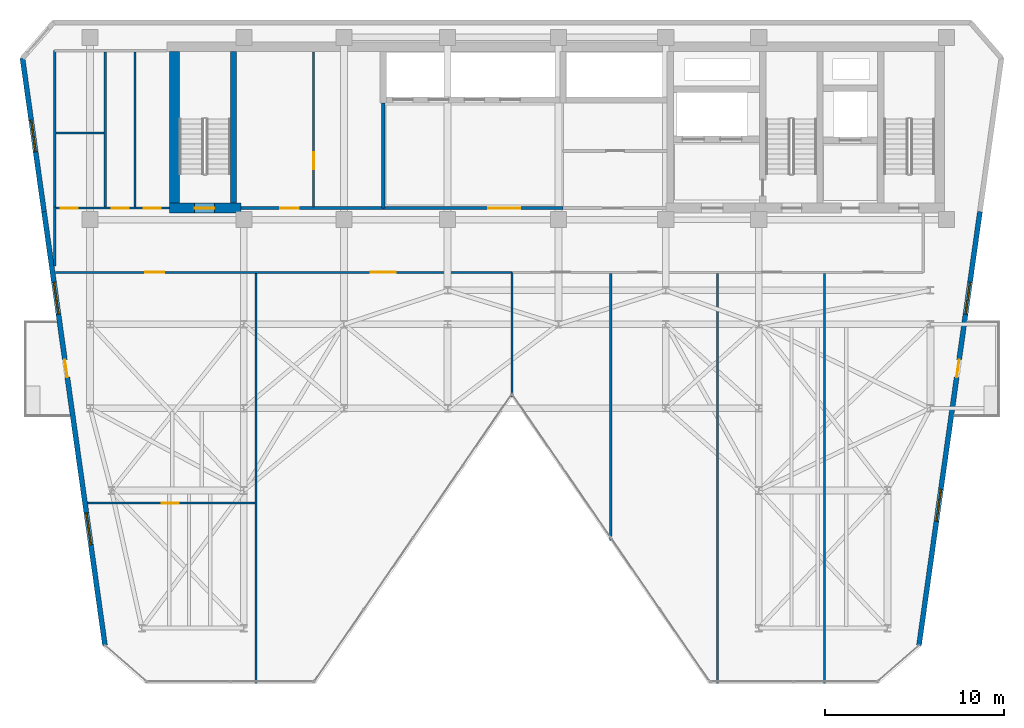
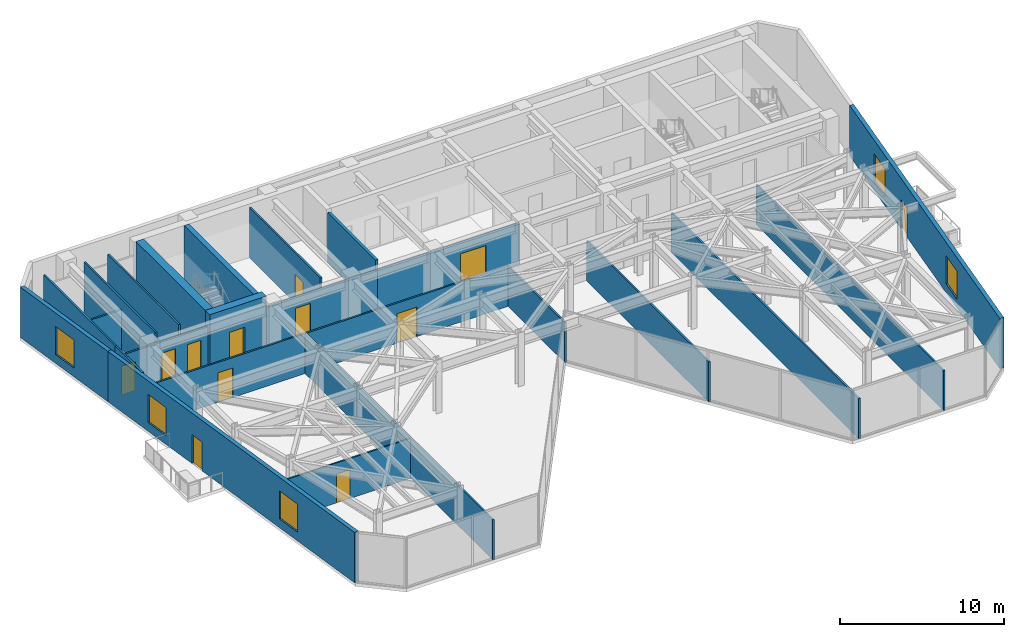
# One storey, part 16 of 21: 23 walls, 12 doors, 5 windows, 17 openings.
"""IFC4 building model written with IfcOpenShell, lengths in metres."""

from ifc_helpers import new_model, si_unit, direction, frame, frame_2d, origin, place, context, subcontext, project, spatial, rectangle, extrude, material, layer, layer_set, type_object, element, fill, save


model = new_model("IFC4")

# Units and contexts
model_context = context("Model", 3, precision=1e-05, world=origin(), true_north=direction((0.0, 1.0)))
body_context = subcontext(model_context, "Body", "Model", "MODEL_VIEW")
ifc_project = project(units=[si_unit("LENGTHUNIT", "METRE"), si_unit("AREAUNIT", "SQUARE_METRE"), si_unit("VOLUMEUNIT", "CUBIC_METRE"), si_unit("PLANEANGLEUNIT", "RADIAN"), si_unit("MASSUNIT", "GRAM", prefix="KILO")], contexts=[model_context])

# Site, building, storey
site_placement = place(None, origin())
site = spatial("IfcSite", under=ifc_project, at=site_placement, CompositionType="ELEMENT")
building_placement = place(site_placement, origin())
building = spatial("IfcBuilding", under=site, at=building_placement, Name="Kravanh Interchange Tower", CompositionType="ELEMENT")
storey_placement = place(building_placement, frame((0.0, 0.0, 176.5)))
storey = spatial("IfcBuildingStorey", under=building, at=storey_placement, Name="L42", CompositionType="ELEMENT", Elevation=176.5)

# Wall, opening, door
ifc_material_1 = material(Name="Double Acoustic Gypsum Board and Mineral Wool")
ifc_layer_1 = layer(ifc_material_1, 0.1201171875)
ifc_layer_set_1 = layer_set([ifc_layer_1], Name="Acoustic Office Drywall Partition 120mm")
wall_type_1 = type_object("IfcWallType", Name="Acoustic Office Drywall Partition 120mm", PredefinedType="PARTITIONING", material=ifc_layer_set_1)
wall_1_placement = place(storey_placement, frame((31.10009765625, 38.068115234375, 0.0), z_axis=(0.0, 0.0, 1.0), x_axis=(0.0, 1.0, 0.0)))
wall_1 = element("IfcWall", 1, at=wall_1_placement, inside=storey, type_object=wall_type_1, Name="L42 Interior Partition 5", PredefinedType="PARTITIONING", context=body_context, shape_type="SweptSolid", body=[
    extrude(rectangle(XDim=8.673828125, YDim=0.1201171875, at=frame_2d((4.3369140625, 0.0))), origin(), (0.0, 0.0, 1.0), 3.7548828125),
])
opening_1_placement = place(wall_1_placement, frame((2.115966796875, 0.0, 0.0)))
opening_1 = element("IfcOpeningElement", 2, at=opening_1_placement, cuts=wall_1, Name="Opening D-95", PredefinedType="OPENING", context=body_context, shape_type="SweptSolid", body=[
    extrude(rectangle(XDim=0.949951171875, YDim=2.14990234375, at=frame_2d((0.47509765625, 1.074951171875))), frame((0.0, 0.070068359375, 0.0), z_axis=(0.0, -1.0, 0.0), x_axis=(1.0, 0.0, 0.0)), (0.0, 0.0, 1.0), 0.14013671875),
])
ifc_material_2 = material(Name="Laminate Solid-Core Timber", Category="wood")
door_type_1 = type_object("IfcDoorType", Name="Accessible Restroom Door 950x2150", OperationType="NOTDEFINED", PredefinedType="DOOR", material=ifc_material_2)
door_1_placement = place(opening_1_placement, origin())
door_1 = element("IfcDoor", 3, at=door_1_placement, inside=storey, type_object=door_type_1, Name="L42 Reclaimed Archive Inner Door", OperationType="SINGLE_SWING_RIGHT", OverallHeight=2.14990234375, OverallWidth=0.949951171875, PredefinedType="DOOR", context=body_context, shape_type="SweptSolid", body=[
    extrude(rectangle(XDim=0.949951171875, YDim=2.14990234375, at=frame_2d((0.47509765625, 1.074951171875))), frame((0.0, 0.02490234375, 0.0), z_axis=(0.0, -1.0, 0.0), x_axis=(1.0, 0.0, 0.0)), (0.0, 0.0, 1.0), 0.050048828125),
])
fill(opening_1, door_1)

# Wall, openings, doors
wall_2_placement = place(storey_placement, frame((16.6201171875, 38.0, 0.0), z_axis=(0.0, 0.0, 1.0), x_axis=(1.0, 0.0, 0.0)))
wall_2 = element("IfcWall", 4, at=wall_2_placement, inside=storey, type_object=wall_type_1, Name="L42 Restroom Corridor Wall 7", PredefinedType="PARTITIONING", context=body_context, shape_type="SweptSolid", body=[
    extrude(rectangle(XDim=6.429931640625, YDim=0.1201171875, at=frame_2d((3.21484375, 0.0))), origin(), (0.0, 0.0, 1.0), 2.98193359375),
])
opening_2_placement = place(wall_2_placement, frame((0.348876953125, 0.0, 0.0)))
opening_2 = element("IfcOpeningElement", 5, at=opening_2_placement, cuts=wall_2, Name="Opening D-95", PredefinedType="OPENING", context=body_context, shape_type="SweptSolid", body=[
    extrude(rectangle(XDim=0.949951171875, YDim=2.14990234375, at=frame_2d((0.47509765625, 1.074951171875))), frame((0.0, 0.070068359375, 0.0), z_axis=(0.0, -1.0, 0.0), x_axis=(1.0, 0.0, 0.0)), (0.0, 0.0, 1.0), 0.14013671875),
])
opening_3_placement = place(wall_2_placement, frame((3.18505859375, 0.0, 0.0)))
opening_3 = element("IfcOpeningElement", 6, at=opening_3_placement, cuts=wall_2, Name="Opening D-95", PredefinedType="OPENING", context=body_context, shape_type="SweptSolid", body=[
    extrude(rectangle(XDim=0.949951171875, YDim=2.14990234375, at=frame_2d((0.47509765625, 1.074951171875))), frame((0.0, 0.070068359375, 0.0), z_axis=(0.0, -1.0, 0.0), x_axis=(1.0, 0.0, 0.0)), (0.0, 0.0, 1.0), 0.14013671875),
])
opening_4_placement = place(wall_2_placement, frame((4.97509765625, 0.0, 0.0)))
opening_4 = element("IfcOpeningElement", 7, at=opening_4_placement, cuts=wall_2, Name="Opening D-95", PredefinedType="OPENING", context=body_context, shape_type="SweptSolid", body=[
    extrude(rectangle(XDim=0.949951171875, YDim=2.14990234375, at=frame_2d((0.47509765625, 1.074951171875))), frame((0.0, 0.070068359375, 0.0), z_axis=(0.0, -1.0, 0.0), x_axis=(1.0, 0.0, 0.0)), (0.0, 0.0, 1.0), 0.14013671875),
])
door_2_placement = place(opening_2_placement, origin())
door_2 = element("IfcDoor", 8, at=door_2_placement, inside=storey, type_object=door_type_1, Name="L42 Accessible WC Door", OperationType="SINGLE_SWING_LEFT", OverallHeight=2.14990234375, OverallWidth=0.949951171875, PredefinedType="DOOR", context=body_context, shape_type="SweptSolid", body=[
    extrude(rectangle(XDim=0.949951171875, YDim=2.14990234375, at=frame_2d((0.47509765625, 1.074951171875))), frame((0.0, 0.02490234375, 0.0), z_axis=(0.0, -1.0, 0.0), x_axis=(1.0, 0.0, 0.0)), (0.0, 0.0, 1.0), 0.050048828125),
])
fill(opening_2, door_2)
door_3_placement = place(opening_3_placement, origin())
door_3 = element("IfcDoor", 9, at=door_3_placement, inside=storey, type_object=door_type_1, Name="L42 Female WC Door", OperationType="SINGLE_SWING_RIGHT", OverallHeight=2.14990234375, OverallWidth=0.949951171875, PredefinedType="DOOR", context=body_context, shape_type="SweptSolid", body=[
    extrude(rectangle(XDim=0.949951171875, YDim=2.14990234375, at=frame_2d((0.47509765625, 1.074951171875))), frame((0.0, 0.02490234375, 0.0), z_axis=(0.0, -1.0, 0.0), x_axis=(1.0, 0.0, 0.0)), (0.0, 0.0, 1.0), 0.050048828125),
])
fill(opening_3, door_3)
door_4_placement = place(opening_4_placement, origin())
door_4 = element("IfcDoor", 10, at=door_4_placement, inside=storey, type_object=door_type_1, Name="L42 Male WC Door", OperationType="SINGLE_SWING_LEFT", OverallHeight=2.14990234375, OverallWidth=0.949951171875, PredefinedType="DOOR", context=body_context, shape_type="SweptSolid", body=[
    extrude(rectangle(XDim=0.949951171875, YDim=2.14990234375, at=frame_2d((0.47509765625, 1.074951171875))), frame((0.0, 0.02490234375, 0.0), z_axis=(0.0, -1.0, 0.0), x_axis=(1.0, 0.0, 0.0)), (0.0, 0.0, 1.0), 0.050048828125),
])
fill(opening_4, door_4)

# Walls
wall_3_placement = place(storey_placement, frame((16.6201171875, 38.0, 0.0), z_axis=(0.0, 0.0, 1.0), x_axis=(0.0, 1.0, 0.0)))
element("IfcWall", 11, at=wall_3_placement, inside=storey, type_object=wall_type_1, Name="L42 Restroom West Enclosure 8", PredefinedType="PARTITIONING", context=body_context, shape_type="SweptSolid", body=[
    extrude(rectangle(XDim=8.800048828125, YDim=0.1201171875, at=frame_2d((4.39990234375, 0.0))), origin(), (0.0, 0.0, 1.0), 3.7548828125),
])
for number, where, z_axis, x_axis, name in (
    (12, (19.449951171875, 38.068115234375, 0.0), (0.0, 0.0, 1.0), (0.0, 1.0, 0.0), "L42 Interior Partition 10"),
    (13, (21.110107421875, 38.068115234375, 0.0), (0.0, 0.0, 1.0), (0.0, 1.0, 0.0), "L42 Interior Partition 11"),
):
    element("IfcWall", number, at=place(storey_placement, frame(where, z_axis=z_axis, x_axis=x_axis)), inside=storey, type_object=wall_type_1, Name=name, PredefinedType="PARTITIONING", context=body_context, shape_type="SweptSolid", body=[
        extrude(rectangle(XDim=8.663818359375, YDim=0.1201171875, at=frame_2d((4.33203125, 0.0))), origin(), (0.0, 0.0, 1.0), 3.7548828125),
    ])
wall_4_placement = place(storey_placement, frame((16.68798828125, 42.199951171875, 0.0), z_axis=(0.0, 0.0, 1.0), x_axis=(1.0, 0.0, 0.0)))
element("IfcWall", 14, at=wall_4_placement, inside=storey, type_object=wall_type_1, Name="L42 Interior Partition 12", PredefinedType="PARTITIONING", context=body_context, shape_type="SweptSolid", body=[
    extrude(rectangle(XDim=2.694091796875, YDim=0.1201171875, at=frame_2d((1.34716796875, 0.0))), origin(), (0.0, 0.0, 1.0), 2.98193359375),
])

# Wall, openings, doors
wall_5_placement = place(storey_placement, frame((16.66943359375, 34.39990234375, 0.0), z_axis=(0.0, 0.0, 1.0), x_axis=(1.0, 0.0, 0.0)))
wall_5 = element("IfcWall", 15, at=wall_5_placement, inside=storey, type_object=wall_type_1, Name="L42 Interior Partition 13", PredefinedType="PARTITIONING", context=body_context, shape_type="SweptSolid", body=[
    extrude(rectangle(XDim=25.530517578125, YDim=0.1201171875, at=frame_2d((12.76513671875, 0.0))), origin(), (0.0, 0.0, 1.0), 2.98193359375),
])
opening_5_placement = place(wall_5_placement, frame((5.015380859375, 0.0, 0.0)))
opening_5 = element("IfcOpeningElement", 16, at=opening_5_placement, cuts=wall_5, Name="Opening D-105", PredefinedType="OPENING", context=body_context, shape_type="SweptSolid", body=[
    extrude(rectangle(XDim=1.050048828125, YDim=2.199951171875, at=frame_2d((0.52490234375, 1.10009765625))), frame((0.0, 0.070068359375, 0.0), z_axis=(0.0, -1.0, 0.0), x_axis=(1.0, 0.0, 0.0)), (0.0, 0.0, 1.0), 0.14013671875),
])
opening_6_placement = place(wall_5_placement, frame((17.63037109375, 0.0, 0.0)))
opening_6 = element("IfcOpeningElement", 17, at=opening_6_placement, cuts=wall_5, Name="Opening DBL-140", PredefinedType="OPENING", context=body_context, shape_type="SweptSolid", body=[
    extrude(rectangle(XDim=1.39990234375, YDim=2.199951171875, at=frame_2d((0.699951171875, 1.10009765625))), frame((0.0, 0.070068359375, 0.0), z_axis=(0.0, -1.0, 0.0), x_axis=(1.0, 0.0, 0.0)), (0.0, 0.0, 1.0), 0.14013671875),
])
ifc_material_3 = material(Name="Acoustic Bronze-Framed Glass", Category="glass")
door_type_2 = type_object("IfcDoorType", Name="Hospitality Lounge Double Door 1400x2200", OperationType="DOUBLE_DOOR_SINGLE_SWING", PredefinedType="DOOR", material=ifc_material_3)
door_5_placement = place(opening_6_placement, origin())
door_5 = element("IfcDoor", 18, at=door_5_placement, inside=storey, type_object=door_type_2, Name="L42 Econometric Study A Door", OperationType="DOUBLE_DOOR_SINGLE_SWING", OverallHeight=2.199951171875, OverallWidth=1.39990234375, PredefinedType="DOOR", context=body_context, shape_type="SweptSolid", body=[
    extrude(rectangle(XDim=1.39990234375, YDim=2.199951171875, at=frame_2d((0.699951171875, 1.10009765625))), frame((0.0, 0.02490234375, 0.0), z_axis=(0.0, -1.0, 0.0), x_axis=(1.0, 0.0, 0.0)), (0.0, 0.0, 1.0), 0.050048828125),
])
fill(opening_6, door_5)
ifc_material_4 = material(Name="Acoustic Glazed Oak and Aluminium", Category="aluminium")
door_type_3 = type_object("IfcDoorType", Name="Office Workplace Door 1050x2200", OperationType="NOTDEFINED", PredefinedType="DOOR", material=ifc_material_4)
door_6_placement = place(opening_5_placement, origin())
door_6 = element("IfcDoor", 19, at=door_6_placement, inside=storey, type_object=door_type_3, Name="L42 West Salon Lounge Door", OperationType="SINGLE_SWING_RIGHT", OverallHeight=2.199951171875, OverallWidth=1.050048828125, PredefinedType="DOOR", context=body_context, shape_type="SweptSolid", body=[
    extrude(rectangle(XDim=1.050048828125, YDim=2.199951171875, at=frame_2d((0.52490234375, 1.10009765625))), frame((0.0, 0.02490234375, 0.0), z_axis=(0.0, -1.0, 0.0), x_axis=(1.0, 0.0, 0.0)), (0.0, 0.0, 1.0), 0.050048828125),
])
fill(opening_5, door_6)

# Walls
wall_6_placement = place(storey_placement, frame((16.6201171875, 34.751953125, 0.0), z_axis=(0.0, 0.0, 1.0), x_axis=(0.0, 1.0, 0.0)))
element("IfcWall", 20, at=wall_6_placement, inside=storey, type_object=wall_type_1, Name="L42 Interior Partition 15", PredefinedType="PARTITIONING", context=body_context, shape_type="SweptSolid", body=[
    extrude(rectangle(XDim=3.298095703125, YDim=0.1201171875, at=frame_2d((1.64892578125, 0.0))), origin(), (0.0, 0.0, 1.0), 3.7548828125),
])
wall_7_placement = place(storey_placement, frame((42.199951171875, 27.426513671875, 0.0), z_axis=(0.0, 0.0, 1.0), x_axis=(0.0, 1.0, 0.0)))
element("IfcWall", 21, at=wall_7_placement, inside=storey, type_object=wall_type_1, Name="L42 Interior Partition 17", PredefinedType="PARTITIONING", context=body_context, shape_type="SweptSolid", body=[
    extrude(rectangle(XDim=6.973388671875, YDim=0.1201171875, at=frame_2d((3.48681640625, 0.0))), origin(), (0.0, 0.0, 1.0), 2.98193359375),
])
wall_8_placement = place(storey_placement, frame((27.8798828125, 11.4150390625, 0.0), z_axis=(0.0, 0.0, 1.0), x_axis=(0.0, 1.0, 0.0)))
element("IfcWall", 22, at=wall_8_placement, inside=storey, type_object=wall_type_1, Name="L42 Interior Partition 19", PredefinedType="PARTITIONING", context=body_context, shape_type="SweptSolid", body=[
    extrude(rectangle(XDim=22.9169921875, YDim=0.1201171875, at=frame_2d((11.45849609375, 0.0))), origin(), (0.0, 0.0, 1.0), 2.98193359375),
])
wall_9_placement = place(storey_placement, frame((47.719970703125, 19.3974609375, 0.0), z_axis=(0.0, 0.0, 1.0), x_axis=(0.0, 1.0, 0.0)))
element("IfcWall", 23, at=wall_9_placement, inside=storey, type_object=wall_type_1, Name="L42 Interior Partition 20", PredefinedType="PARTITIONING", context=body_context, shape_type="SweptSolid", body=[
    extrude(rectangle(XDim=14.9345703125, YDim=0.1201171875, at=frame_2d((7.46728515625, 0.0))), origin(), (0.0, 0.0, 1.0), 2.98193359375),
])
for number, where, z_axis, x_axis, name in (
    (24, (53.699951171875, 11.4150390625, 0.0), (0.0, 0.0, 1.0), (0.0, 1.0, 0.0), "L42 Interior Partition 21"),
    (25, (59.679931640625, 11.4150390625, 0.0), (0.0, 0.0, 1.0), (0.0, 1.0, 0.0), "L42 Interior Partition 22"),
):
    element("IfcWall", number, at=place(storey_placement, frame(where, z_axis=z_axis, x_axis=x_axis)), inside=storey, type_object=wall_type_1, Name=name, PredefinedType="PARTITIONING", context=body_context, shape_type="SweptSolid", body=[
        extrude(rectangle(XDim=22.9169921875, YDim=0.1201171875, at=frame_2d((11.45849609375, 0.0))), origin(), (0.0, 0.0, 1.0), 2.98193359375),
    ])
ifc_material_5 = material(Name="Concrete C60/75", Category="concrete")
ifc_layer_2 = layer(ifc_material_5, 0.35009765625)
ifc_layer_set_2 = layer_set([ifc_layer_2], Name="Core Shear Wall Concrete C60/75 350mm")
wall_type_2 = type_object("IfcWallType", Name="Core Shear Wall Concrete C60/75 350mm", PredefinedType="SHEAR", material=ifc_layer_set_2)
wall_10_placement = place(storey_placement, frame((26.625, 38.27490234375, 0.0), z_axis=(0.0, 0.0, 1.0), x_axis=(0.0, 1.0, 0.0)))
element("IfcWall", 26, at=wall_10_placement, inside=storey, type_object=wall_type_2, Name="L42 Stair ST3 East Shear Wall", PredefinedType="SHEAR", context=body_context, shape_type="SweptSolid", body=[
    extrude(rectangle(XDim=8.47509765625, YDim=0.35009765625, at=frame_2d((4.237548828125, 0.0))), origin(), (0.0, 0.0, 1.0), 4.0),
])

# Wall, opening, door
ifc_material_6 = material(Name="Concrete C70/85", Category="concrete")
ifc_layer_3 = layer(ifc_material_6, 0.550048828125)
ifc_layer_set_3 = layer_set([ifc_layer_3], Name="Core Shear Wall Concrete C70/85 550mm")
wall_type_3 = type_object("IfcWallType", Name="Core Shear Wall Concrete C70/85 550mm", PredefinedType="SHEAR", material=ifc_layer_set_3)
wall_11_placement = place(storey_placement, frame((23.050048828125, 38.0, 0.0), z_axis=(0.0, 0.0, 1.0), x_axis=(1.0, 0.0, 0.0)))
wall_11 = element("IfcWall", 27, at=wall_11_placement, inside=storey, type_object=wall_type_3, Name="L42 Stair ST3 South Shear Wall", PredefinedType="SHEAR", context=body_context, shape_type="SweptSolid", body=[
    extrude(rectangle(XDim=4.0, YDim=0.550048828125, at=frame_2d((2.0, 0.0))), origin(), (0.0, 0.0, 1.0), 4.0),
])
opening_7_placement = place(wall_11_placement, frame((1.39990234375, 0.0, 0.0)))
opening_7 = element("IfcOpeningElement", 28, at=opening_7_placement, cuts=wall_11, Name="Opening D-STAIR-110", PredefinedType="OPENING", context=body_context, shape_type="SweptSolid", body=[
    extrude(rectangle(XDim=1.10009765625, YDim=2.199951171875, at=frame_2d((0.550048828125, 1.10009765625))), frame((0.0, 0.28515625, 0.0), z_axis=(0.0, -1.0, 0.0), x_axis=(1.0, 0.0, 0.0)), (0.0, 0.0, 1.0), 0.570068359375),
])
ifc_material_7 = material(Name="Structural Steel S355", Category="steel")
door_type_4 = type_object("IfcDoorType", Name="Fire-Rated Exit Stair Door 1100x2200", OperationType="NOTDEFINED", PredefinedType="DOOR", material=ifc_material_7)
door_7_placement = place(opening_7_placement, origin())
door_7 = element("IfcDoor", 29, at=door_7_placement, inside=storey, type_object=door_type_4, Name="L42 Exit Stair ST3 Door", OperationType="SINGLE_SWING_RIGHT", OverallHeight=2.199951171875, OverallWidth=1.10009765625, PredefinedType="DOOR", context=body_context, shape_type="SweptSolid", body=[
    extrude(rectangle(XDim=1.10009765625, YDim=2.199951171875, at=frame_2d((0.550048828125, 1.10009765625))), frame((0.0, 0.02490234375, 0.0), z_axis=(0.0, -1.0, 0.0), x_axis=(1.0, 0.0, 0.0)), (0.0, 0.0, 1.0), 0.050048828125),
])
fill(opening_7, door_7)

# Wall
wall_12_placement = place(storey_placement, frame((23.324951171875, 38.27490234375, 0.0), z_axis=(0.0, 0.0, 1.0), x_axis=(0.0, 1.0, 0.0)))
element("IfcWall", 30, at=wall_12_placement, inside=storey, type_object=wall_type_3, Name="L42 Stair ST3 West Shear Wall", PredefinedType="SHEAR", context=body_context, shape_type="SweptSolid", body=[
    extrude(rectangle(XDim=8.47509765625, YDim=0.550048828125, at=frame_2d((4.237548828125, 0.0))), origin(), (0.0, 0.0, 1.0), 4.0),
])

# Wall, opening, door
ifc_material_8 = material(Name="Moisture-Resistant Gypsum Board and Mineral Wool")
ifc_layer_4 = layer(ifc_material_8, 0.10009765625)
ifc_layer_set_4 = layer_set([ifc_layer_4], Name="En-Suite Moisture-Resistant Partition 100mm")
wall_type_4 = type_object("IfcWallType", Name="En-Suite Moisture-Resistant Partition 100mm", PredefinedType="PARTITIONING", material=ifc_layer_set_4)
wall_13_placement = place(storey_placement, frame((18.482421875, 21.5, 0.0), z_axis=(0.0, 0.0, 1.0), x_axis=(1.0, 0.0, 0.0)))
wall_13 = element("IfcWall", 31, at=wall_13_placement, inside=storey, type_object=wall_type_4, Name="L42 Interior Partition 18", PredefinedType="PARTITIONING", context=body_context, shape_type="SweptSolid", body=[
    extrude(rectangle(XDim=9.32958984375, YDim=0.10009765625, at=frame_2d((4.664794921875, 0.0))), origin(), (0.0, 0.0, 1.0), 2.98193359375),
])
opening_8_placement = place(wall_13_placement, frame((4.12744140625, 0.0, 0.0)))
opening_8 = element("IfcOpeningElement", 32, at=opening_8_placement, cuts=wall_13, Name="Opening D-95", PredefinedType="OPENING", context=body_context, shape_type="SweptSolid", body=[
    extrude(rectangle(XDim=0.949951171875, YDim=2.14990234375, at=frame_2d((0.47509765625, 1.074951171875))), frame((0.0, 0.06005859375, 0.0), z_axis=(0.0, -1.0, 0.0), x_axis=(1.0, 0.0, 0.0)), (0.0, 0.0, 1.0), 0.1201171875),
])
door_8_placement = place(opening_8_placement, origin())
door_8 = element("IfcDoor", 33, at=door_8_placement, inside=storey, type_object=door_type_1, Name="L42 Coffee Kitchenette Inner Door", OperationType="SINGLE_SWING_LEFT", OverallHeight=2.14990234375, OverallWidth=0.949951171875, PredefinedType="DOOR", context=body_context, shape_type="SweptSolid", body=[
    extrude(rectangle(XDim=0.949951171875, YDim=2.14990234375, at=frame_2d((0.47509765625, 1.074951171875))), frame((0.0, 0.02490234375, 0.0), z_axis=(0.0, -1.0, 0.0), x_axis=(1.0, 0.0, 0.0)), (0.0, 0.0, 1.0), 0.050048828125),
])
fill(opening_8, door_8)

# Wall, openings, door, windows
ifc_material_9 = material(Name="Insulated Precast Concrete C40/50 with Bronze Cladding", Category="concrete")
ifc_layer_5 = layer(ifc_material_9, 0.280029296875)
ifc_layer_set_5 = layer_set([ifc_layer_5], Name="Exterior Insulated Concrete C40/50 Bronze Spandrel Wall 280mm")
wall_type_5 = type_object("IfcWallType", Name="Exterior Insulated Concrete C40/50 Bronze Spandrel Wall 280mm", PredefinedType="STANDARD", material=ifc_layer_set_5)
wall_14_placement = place(storey_placement, frame((19.434326171875, 13.540771484375, 0.0), z_axis=(0.0, 0.0, 1.0), x_axis=(-0.139173290738, 0.99026804207, 0.0)))
wall_14 = element("IfcWall", 34, at=wall_14_placement, inside=storey, type_object=wall_type_5, Name="L42 Exterior Wall 1", PredefinedType="STANDARD", context=body_context, shape_type="SweptSolid", body=[
    extrude(rectangle(XDim=24.497802734375, YDim=0.280029296875, at=frame_2d((12.2490234375, 0.0))), origin(), (0.0, 0.0, 1.0), 3.7548828125),
])
opening_9_placement = place(wall_14_placement, frame((15.13818359375, 0.0, 0.0)))
opening_9 = element("IfcOpeningElement", 35, at=opening_9_placement, cuts=wall_14, Name="Opening ED-BAL100", PredefinedType="OPENING", context=body_context, shape_type="SweptSolid", body=[
    extrude(rectangle(XDim=1.0, YDim=2.14990234375, at=frame_2d((0.5, 1.074951171875))), frame((0.0, 0.14990234375, 0.0), z_axis=(0.0, -1.0, 0.0), x_axis=(1.0, 0.0, 0.0)), (0.0, 0.0, 1.0), 0.300048828125),
])
opening_10_placement = place(wall_14_placement, frame((5.6787109375, 0.0, 0.64990234375)))
opening_10 = element("IfcOpeningElement", 36, at=opening_10_placement, cuts=wall_14, Name="Opening WN-180X210", PredefinedType="OPENING", context=body_context, shape_type="SweptSolid", body=[
    extrude(rectangle(XDim=1.800048828125, YDim=2.10009765625, at=frame_2d((0.89990234375, 1.050048828125))), frame((0.0, 0.14990234375, 0.0), z_axis=(0.0, -1.0, 0.0), x_axis=(1.0, 0.0, 0.0)), (0.0, 0.0, 1.0), 0.300048828125),
])
opening_11_placement = place(wall_14_placement, frame((18.7080078125, 0.0, 0.64990234375)))
opening_11 = element("IfcOpeningElement", 37, at=opening_11_placement, cuts=wall_14, Name="Opening WN-180X210", PredefinedType="OPENING", context=body_context, shape_type="SweptSolid", body=[
    extrude(rectangle(XDim=1.800048828125, YDim=2.10009765625, at=frame_2d((0.89990234375, 1.050048828125))), frame((0.0, 0.14990234375, 0.0), z_axis=(0.0, -1.0, 0.0), x_axis=(1.0, 0.0, 0.0)), (0.0, 0.0, 1.0), 0.300048828125),
])
ifc_material_10 = material(Name="Thermally Broken Bronze Aluminium and Laminated Glass", Category="aluminium")
door_type_5 = type_object("IfcDoorType", Name="Balcony Glazed Door 1000x2150", OperationType="NOTDEFINED", PredefinedType="DOOR", material=ifc_material_10)
door_9_placement = place(opening_9_placement, origin())
door_9 = element("IfcDoor", 38, at=door_9_placement, inside=storey, type_object=door_type_5, Name="L42 W Tree Balcony Access Door", OperationType="SINGLE_SWING_LEFT", OverallHeight=2.14990234375, OverallWidth=1.0, PredefinedType="DOOR", context=body_context, shape_type="SweptSolid", body=[
    extrude(rectangle(XDim=1.0, YDim=2.14990234375, at=frame_2d((0.5, 1.074951171875))), frame((0.0, 0.02490234375, 0.0), z_axis=(0.0, -1.0, 0.0), x_axis=(1.0, 0.0, 0.0)), (0.0, 0.0, 1.0), 0.050048828125),
])
fill(opening_9, door_9)
ifc_material_11 = material(Name="Thermally Broken Bronze Aluminium and Low-E Glass", Category="aluminium")
window_type = type_object("IfcWindowType", Name="Tower Pier Window 1800x2100", PartitioningType="SINGLE_PANEL", PredefinedType="WINDOW", material=ifc_material_11)
window_1_placement = place(opening_10_placement, origin())
window_1 = element("IfcWindow", 39, at=window_1_placement, inside=storey, type_object=window_type, Name="L42 Facade Window 1A", OverallHeight=2.10009765625, OverallWidth=1.800048828125, PartitioningType="SINGLE_PANEL", PredefinedType="WINDOW", context=body_context, shape_type="SweptSolid", body=[
    extrude(rectangle(XDim=1.800048828125, YDim=2.10009765625, at=frame_2d((0.89990234375, 1.050048828125))), frame((0.0, 0.030029296875, 0.0), z_axis=(0.0, -1.0, 0.0), x_axis=(1.0, 0.0, 0.0)), (0.0, 0.0, 1.0), 0.06005859375),
])
fill(opening_10, window_1)
window_2_placement = place(opening_11_placement, origin())
window_2 = element("IfcWindow", 40, at=window_2_placement, inside=storey, type_object=window_type, Name="L42 Facade Window 1B", OverallHeight=2.10009765625, OverallWidth=1.800048828125, PartitioningType="SINGLE_PANEL", PredefinedType="WINDOW", context=body_context, shape_type="SweptSolid", body=[
    extrude(rectangle(XDim=1.800048828125, YDim=2.10009765625, at=frame_2d((0.89990234375, 1.050048828125))), frame((0.0, 0.030029296875, 0.0), z_axis=(0.0, -1.0, 0.0), x_axis=(1.0, 0.0, 0.0)), (0.0, 0.0, 1.0), 0.06005859375),
])
fill(opening_11, window_2)

# Wall, opening, window
wall_15_placement = place(storey_placement, frame((16.02490234375, 37.800048828125, 0.0), z_axis=(0.0, 0.0, 1.0), x_axis=(-0.13918102754, 0.990266954701, 0.0)))
wall_15 = element("IfcWall", 41, at=wall_15_placement, inside=storey, type_object=wall_type_5, Name="L42 Exterior Wall 2", PredefinedType="STANDARD", context=body_context, shape_type="SweptSolid", body=[
    extrude(rectangle(XDim=8.667236328125, YDim=0.280029296875, at=frame_2d((4.33349609375, 0.0))), origin(), (0.0, 0.0, 1.0), 3.7548828125),
])
opening_12_placement = place(wall_15_placement, frame((3.37353515625, 0.0, 0.64990234375)))
opening_12 = element("IfcOpeningElement", 42, at=opening_12_placement, cuts=wall_15, Name="Opening WN-180X210", PredefinedType="OPENING", context=body_context, shape_type="SweptSolid", body=[
    extrude(rectangle(XDim=1.800048828125, YDim=2.10009765625, at=frame_2d((0.89990234375, 1.050048828125))), frame((0.0, 0.14990234375, 0.0), z_axis=(0.0, -1.0, 0.0), x_axis=(1.0, 0.0, 0.0)), (0.0, 0.0, 1.0), 0.300048828125),
])
window_3_placement = place(opening_12_placement, origin())
window_3 = element("IfcWindow", 43, at=window_3_placement, inside=storey, type_object=window_type, Name="L42 Corner Window 2", OverallHeight=2.10009765625, OverallWidth=1.800048828125, PartitioningType="SINGLE_PANEL", PredefinedType="WINDOW", context=body_context, shape_type="SweptSolid", body=[
    extrude(rectangle(XDim=1.800048828125, YDim=2.10009765625, at=frame_2d((0.89990234375, 1.050048828125))), frame((0.0, 0.030029296875, 0.0), z_axis=(0.0, -1.0, 0.0), x_axis=(1.0, 0.0, 0.0)), (0.0, 0.0, 1.0), 0.06005859375),
])
fill(opening_12, window_3)

# Wall, openings, door, windows
wall_16_placement = place(storey_placement, frame((68.375, 37.800048828125, 0.0), z_axis=(0.0, 0.0, 1.0), x_axis=(-0.139173290738, -0.99026804207, 0.0)))
wall_16 = element("IfcWall", 44, at=wall_16_placement, inside=storey, type_object=wall_type_5, Name="L42 Exterior Wall 7", PredefinedType="STANDARD", context=body_context, shape_type="SweptSolid", body=[
    extrude(rectangle(XDim=24.497802734375, YDim=0.280029296875, at=frame_2d((12.2490234375, 0.0))), origin(), (0.0, 0.0, 1.0), 3.7548828125),
])
opening_13_placement = place(wall_16_placement, frame((8.359619140625, 0.0, 0.0)))
opening_13 = element("IfcOpeningElement", 45, at=opening_13_placement, cuts=wall_16, Name="Opening ED-BAL100", PredefinedType="OPENING", context=body_context, shape_type="SweptSolid", body=[
    extrude(rectangle(XDim=1.0, YDim=2.14990234375, at=frame_2d((0.5, 1.074951171875))), frame((0.0, 0.14990234375, 0.0), z_axis=(0.0, -1.0, 0.0), x_axis=(1.0, 0.0, 0.0)), (0.0, 0.0, 1.0), 0.300048828125),
])
opening_14_placement = place(wall_16_placement, frame((3.98974609375, 0.0, 0.64990234375)))
opening_14 = element("IfcOpeningElement", 46, at=opening_14_placement, cuts=wall_16, Name="Opening WN-180X210", PredefinedType="OPENING", context=body_context, shape_type="SweptSolid", body=[
    extrude(rectangle(XDim=1.800048828125, YDim=2.10009765625, at=frame_2d((0.89990234375, 1.050048828125))), frame((0.0, 0.14990234375, 0.0), z_axis=(0.0, -1.0, 0.0), x_axis=(1.0, 0.0, 0.0)), (0.0, 0.0, 1.0), 0.300048828125),
])
opening_15_placement = place(wall_16_placement, frame((15.69189453125, 0.0, 0.64990234375)))
opening_15 = element("IfcOpeningElement", 47, at=opening_15_placement, cuts=wall_16, Name="Opening WN-180X210", PredefinedType="OPENING", context=body_context, shape_type="SweptSolid", body=[
    extrude(rectangle(XDim=1.800048828125, YDim=2.10009765625, at=frame_2d((0.89990234375, 1.050048828125))), frame((0.0, 0.14990234375, 0.0), z_axis=(0.0, -1.0, 0.0), x_axis=(1.0, 0.0, 0.0)), (0.0, 0.0, 1.0), 0.300048828125),
])
door_10_placement = place(opening_13_placement, origin())
door_10 = element("IfcDoor", 48, at=door_10_placement, inside=storey, type_object=door_type_5, Name="L42 E Tree Balcony Access Door", OperationType="SINGLE_SWING_RIGHT", OverallHeight=2.14990234375, OverallWidth=1.0, PredefinedType="DOOR", context=body_context, shape_type="SweptSolid", body=[
    extrude(rectangle(XDim=1.0, YDim=2.14990234375, at=frame_2d((0.5, 1.074951171875))), frame((0.0, 0.02490234375, 0.0), z_axis=(0.0, -1.0, 0.0), x_axis=(1.0, 0.0, 0.0)), (0.0, 0.0, 1.0), 0.050048828125),
])
fill(opening_13, door_10)
window_4_placement = place(opening_14_placement, origin())
window_4 = element("IfcWindow", 49, at=window_4_placement, inside=storey, type_object=window_type, Name="L42 Facade Window 7A", OverallHeight=2.10009765625, OverallWidth=1.800048828125, PartitioningType="SINGLE_PANEL", PredefinedType="WINDOW", context=body_context, shape_type="SweptSolid", body=[
    extrude(rectangle(XDim=1.800048828125, YDim=2.10009765625, at=frame_2d((0.89990234375, 1.050048828125))), frame((0.0, 0.030029296875, 0.0), z_axis=(0.0, -1.0, 0.0), x_axis=(1.0, 0.0, 0.0)), (0.0, 0.0, 1.0), 0.06005859375),
])
fill(opening_14, window_4)
window_5_placement = place(opening_15_placement, origin())
window_5 = element("IfcWindow", 50, at=window_5_placement, inside=storey, type_object=window_type, Name="L42 Facade Window 7B", OverallHeight=2.10009765625, OverallWidth=1.800048828125, PartitioningType="SINGLE_PANEL", PredefinedType="WINDOW", context=body_context, shape_type="SweptSolid", body=[
    extrude(rectangle(XDim=1.800048828125, YDim=2.10009765625, at=frame_2d((0.89990234375, 1.050048828125))), frame((0.0, 0.030029296875, 0.0), z_axis=(0.0, -1.0, 0.0), x_axis=(1.0, 0.0, 0.0)), (0.0, 0.0, 1.0), 0.06005859375),
])
fill(opening_15, window_5)

# Wall
ifc_material_12 = material(Name="Autoclaved Aerated Concrete C30/37 Blockwork", Category="masonry")
ifc_layer_6 = layer(ifc_material_12, 0.179931640625)
ifc_layer_set_6 = layer_set([ifc_layer_6], Name="Fire-Rated Lobby and Corridor Wall Concrete C30/37 180mm")
wall_type_6 = type_object("IfcWallType", Name="Fire-Rated Lobby and Corridor Wall Concrete C30/37 180mm", PredefinedType="STANDARD", material=ifc_layer_set_6)
wall_17_placement = place(storey_placement, frame((35.0, 38.0, 0.0), z_axis=(0.0, 0.0, 1.0), x_axis=(0.0, 1.0, 0.0)))
element("IfcWall", 51, at=wall_17_placement, inside=storey, type_object=wall_type_6, Name="L42 Interior Partition 4", PredefinedType="STANDARD", context=body_context, shape_type="SweptSolid", body=[
    extrude(rectangle(XDim=5.875, YDim=0.179931640625, at=frame_2d((2.9375, 0.0))), origin(), (0.0, 0.0, 1.0), 3.7548828125),
])

# Wall, opening, door
wall_18_placement = place(storey_placement, frame((35.0, 38.0, 0.0), z_axis=(0.0, 0.0, 1.0), x_axis=(1.0, 0.0, 0.0)))
wall_18 = element("IfcWall", 52, at=wall_18_placement, inside=storey, type_object=wall_type_6, Name="L42 Interior Partition 6", PredefinedType="STANDARD", context=body_context, shape_type="SweptSolid", body=[
    extrude(rectangle(XDim=10.050048828125, YDim=0.179931640625, at=frame_2d((5.02490234375, 0.0))), origin(), (0.0, 0.0, 1.0), 2.98193359375),
])
opening_16_placement = place(wall_18_placement, frame((5.85791015625, 0.0, 0.0)))
opening_16 = element("IfcOpeningElement", 53, at=opening_16_placement, cuts=wall_18, Name="Opening DBL-180", PredefinedType="OPENING", context=body_context, shape_type="SweptSolid", body=[
    extrude(rectangle(XDim=1.800048828125, YDim=2.199951171875, at=frame_2d((0.89990234375, 1.10009765625))), frame((0.0, 0.10009765625, 0.0), z_axis=(0.0, -1.0, 0.0), x_axis=(1.0, 0.0, 0.0)), (0.0, 0.0, 1.0), 0.199951171875),
])
ifc_material_13 = material(Name="Structural Steel S355", Category="steel")
door_type_6 = type_object("IfcDoorType", Name="Lift Lobby Double Fire Door 1800x2200", OperationType="DOUBLE_DOOR_SINGLE_SWING", PredefinedType="DOOR", material=ifc_material_13)
door_11_placement = place(opening_16_placement, origin())
door_11 = element("IfcDoor", 54, at=door_11_placement, inside=storey, type_object=door_type_6, Name="L42 Mid-Rise Lift Lobby Door", OperationType="DOUBLE_DOOR_SINGLE_SWING", OverallHeight=2.199951171875, OverallWidth=1.800048828125, PredefinedType="DOOR", context=body_context, shape_type="SweptSolid", body=[
    extrude(rectangle(XDim=1.800048828125, YDim=2.199951171875, at=frame_2d((0.89990234375, 1.10009765625))), frame((0.0, 0.02490234375, 0.0), z_axis=(0.0, -1.0, 0.0), x_axis=(1.0, 0.0, 0.0)), (0.0, 0.0, 1.0), 0.050048828125),
])
fill(opening_16, door_11)

ifc_material_14 = material(Name="Twin Stud Acoustic Gypsum Board Wall")
ifc_layer_7 = layer(ifc_material_14, 0.14990234375)
ifc_layer_set_7 = layer_set([ifc_layer_7], Name="Medium-Duty Acoustic Partition 150mm")
wall_type_7 = type_object("IfcWallType", Name="Medium-Duty Acoustic Partition 150mm", PredefinedType="PARTITIONING", material=ifc_layer_set_7)
wall_19_placement = place(storey_placement, frame((27.050048828125, 38.0, 0.0), z_axis=(0.0, 0.0, 1.0), x_axis=(1.0, 0.0, 0.0)))
wall_19 = element("IfcWall", 55, at=wall_19_placement, inside=storey, type_object=wall_type_7, Name="L42 Interior Partition 3", PredefinedType="PARTITIONING", context=body_context, shape_type="SweptSolid", body=[
    extrude(rectangle(XDim=7.949951171875, YDim=0.14990234375, at=frame_2d((3.97509765625, 0.0))), origin(), (0.0, 0.0, 1.0), 2.98193359375),
])
opening_17_placement = place(wall_19_placement, frame((2.175048828125, 0.0, 0.0)))
opening_17 = element("IfcOpeningElement", 56, at=opening_17_placement, cuts=wall_19, Name="Opening D-105", PredefinedType="OPENING", context=body_context, shape_type="SweptSolid", body=[
    extrude(rectangle(XDim=1.050048828125, YDim=2.199951171875, at=frame_2d((0.52490234375, 1.10009765625))), frame((0.0, 0.0849609375, 0.0), z_axis=(0.0, -1.0, 0.0), x_axis=(1.0, 0.0, 0.0)), (0.0, 0.0, 1.0), 0.169921875),
])
door_12_placement = place(opening_17_placement, origin())
door_12 = element("IfcDoor", 57, at=door_12_placement, inside=storey, type_object=door_type_3, Name="L42 Reclaimed IT Hub Door", OperationType="SINGLE_SWING_LEFT", OverallHeight=2.199951171875, OverallWidth=1.050048828125, PredefinedType="DOOR", context=body_context, shape_type="SweptSolid", body=[
    extrude(rectangle(XDim=1.050048828125, YDim=2.199951171875, at=frame_2d((0.52490234375, 1.10009765625))), frame((0.0, 0.02490234375, 0.0), z_axis=(0.0, -1.0, 0.0), x_axis=(1.0, 0.0, 0.0)), (0.0, 0.0, 1.0), 0.050048828125),
])
fill(opening_17, door_12)

save(model, "model.ifc")
